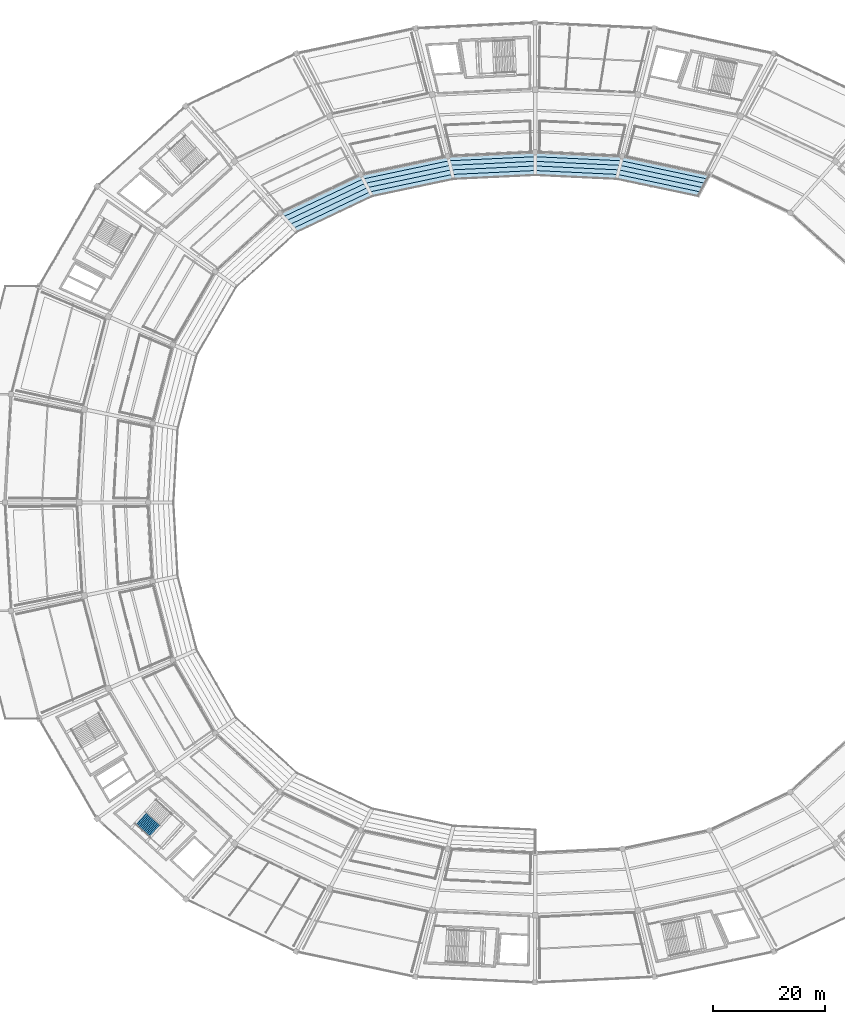
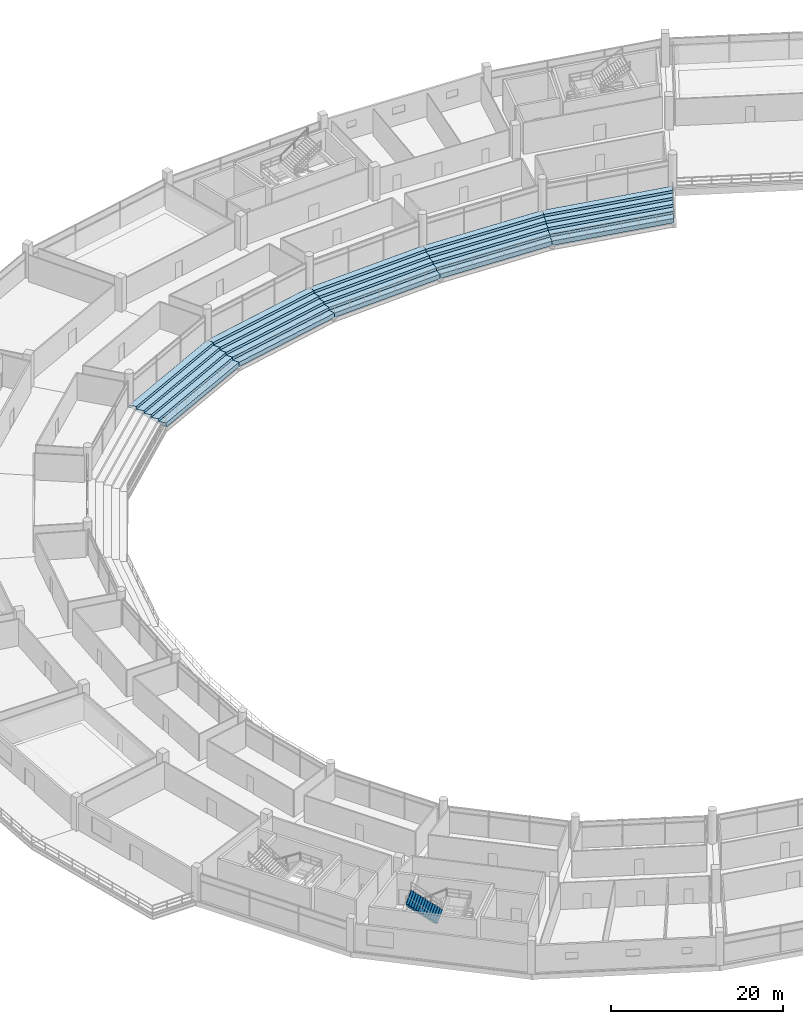
# One storey, part 140 of 171: 5 slabs, 1 stair flight, 1 element without a shape of its own.
"""IFC4 building model written with IfcOpenShell, lengths in metres."""

from ifc_helpers import new_model, si_unit, direction, frame, origin, place, context, subcontext, project, spatial, polygons, material, layer, layer_set, type_object, element, aggregate, save


model = new_model("IFC4")

# Units and contexts
model_context = context("Model", 3, precision=1e-05, world=origin(), true_north=direction((0.0, 1.0)))
body_context = subcontext(model_context, "Body", "Model", "MODEL_VIEW")
ifc_project = project(units=[si_unit("LENGTHUNIT", "METRE"), si_unit("AREAUNIT", "SQUARE_METRE"), si_unit("VOLUMEUNIT", "CUBIC_METRE"), si_unit("PLANEANGLEUNIT", "RADIAN"), si_unit("MASSUNIT", "GRAM", prefix="KILO")], contexts=[model_context])

# Site, building, storey
site_placement = place(None, origin())
site = spatial("IfcSite", under=ifc_project, at=site_placement, CompositionType="ELEMENT")
building_placement = place(site_placement, origin())
building = spatial("IfcBuilding", under=site, at=building_placement, Name="Kazemori Nagisa Stadium", CompositionType="ELEMENT")
storey_placement = place(building_placement, frame((0.0, 0.0, 15.639892578125)))
storey = spatial("IfcBuildingStorey", under=building, at=storey_placement, Name="L03", CompositionType="ELEMENT", Elevation=15.639892578125)

# Slabs
ifc_material = material(Name="Concrete C36/45 (Fc36)", Category="concrete")
ifc_layer = layer(ifc_material, 2.159912109375, Name="Concrete C36/45 (Fc36)", Category="concrete")
ifc_layer_set = layer_set([ifc_layer], Name="Concrete C36/45 (Fc36)")
slab_type = type_object("IfcSlabType", Name="SeatingTier_ST-CLUB-05", PredefinedType="USERDEFINED", material=ifc_layer_set)
slab_1_placement = place(storey_placement, frame((0.0, 0.0, -15.639892578125)))
element("IfcSlab", 1, at=slab_1_placement, inside=storey, type_object=slab_type, Name="Stand club tier bay 06", ObjectType="SEATING TIER", PredefinedType="USERDEFINED", context=body_context, shape_type="Tessellation", body=[
    polygons([(137.61376953125, 159.9609375, 13.480224609375), (137.61376953125, 159.9609375, 14.1201171875), (137.8193359375, 160.77685546875, 14.1201171875), (137.8193359375, 160.77685546875, 14.5), (138.025146484375, 161.5927734375, 14.5), (138.025146484375, 161.5927734375, 14.8798828125), (138.230712890625, 162.408447265625, 14.8798828125), (138.230712890625, 162.408447265625, 15.259765625), (138.4365234375, 163.224365234375, 15.259765625), (138.4365234375, 163.224365234375, 15.6396484375), (138.64208984375, 164.040283203125, 15.6396484375), (138.64208984375, 164.040283203125, 15.379638671875), (138.4365234375, 163.224365234375, 14.999755859375), (138.230712890625, 162.408447265625, 14.619873046875), (138.025146484375, 161.5927734375, 14.239990234375), (137.8193359375, 160.77685546875, 13.860107421875), (152.19287109375, 156.876708984375, 13.480224609375), (152.19287109375, 156.876708984375, 14.1201171875), (152.603759765625, 157.649169921875, 14.1201171875), (152.603759765625, 157.649169921875, 14.5), (153.0146484375, 158.421630859375, 14.5), (153.0146484375, 158.421630859375, 14.8798828125), (153.42578125, 159.194091796875, 14.8798828125), (153.42578125, 159.194091796875, 15.259765625), (153.836669921875, 159.966552734375, 15.259765625), (153.836669921875, 159.966552734375, 15.6396484375), (154.24755859375, 160.739013671875, 15.6396484375), (154.24755859375, 160.739013671875, 15.379638671875), (153.836669921875, 159.966552734375, 14.999755859375), (153.42578125, 159.194091796875, 14.619873046875), (153.0146484375, 158.421630859375, 14.239990234375), (152.603759765625, 157.649169921875, 13.860107421875)], [[[1, 17, 18]], [[1, 18, 2]], [[2, 18, 19]], [[2, 19, 3]], [[3, 19, 20]], [[3, 20, 4]], [[4, 20, 21]], [[4, 21, 5]], [[5, 21, 22]], [[5, 22, 6]], [[6, 22, 23]], [[6, 23, 7]], [[7, 23, 24]], [[7, 24, 8]], [[8, 24, 25]], [[8, 25, 9]], [[9, 25, 26]], [[9, 26, 10]], [[10, 26, 27]], [[10, 27, 11]], [[11, 27, 28]], [[11, 28, 12]], [[12, 28, 13]], [[13, 28, 29]], [[13, 29, 14]], [[14, 29, 30]], [[14, 30, 15]], [[15, 30, 31]], [[15, 31, 16]], [[16, 31, 32]], [[16, 32, 1]], [[1, 32, 17]], [[1, 2, 3]], [[19, 18, 17]], [[1, 3, 16]], [[32, 19, 17]], [[16, 3, 15]], [[31, 19, 32]], [[15, 3, 5]], [[21, 19, 31]], [[3, 4, 5]], [[21, 20, 19]], [[15, 5, 14]], [[30, 21, 31]], [[14, 5, 7]], [[23, 21, 30]], [[5, 6, 7]], [[23, 22, 21]], [[14, 7, 13]], [[29, 23, 30]], [[13, 7, 9]], [[25, 23, 29]], [[7, 8, 9]], [[25, 24, 23]], [[13, 9, 12]], [[28, 25, 29]], [[12, 9, 11]], [[27, 25, 28]], [[9, 10, 11]], [[27, 26, 25]]], closed=True),
])
slab_2_placement = place(storey_placement, frame((0.0, 0.0, -15.639892578125)))
element("IfcSlab", 2, at=slab_2_placement, inside=storey, type_object=slab_type, Name="Stand club tier bay 07", ObjectType="SEATING TIER", PredefinedType="USERDEFINED", context=body_context, shape_type="Tessellation", body=[
    polygons([(123.0, 160.652099609375, 13.480224609375), (123.0, 160.652099609375, 14.1201171875), (123.0, 161.477783203125, 14.1201171875), (123.0, 161.477783203125, 14.5), (123.0, 162.30322265625, 14.5), (123.0, 162.30322265625, 14.8798828125), (123.0, 163.12890625, 14.8798828125), (123.0, 163.12890625, 15.259765625), (123.0, 163.954345703125, 15.259765625), (123.0, 163.954345703125, 15.6396484375), (123.0, 164.780029296875, 15.6396484375), (123.0, 164.780029296875, 15.379638671875), (123.0, 163.954345703125, 14.999755859375), (123.0, 163.12890625, 14.619873046875), (123.0, 162.30322265625, 14.239990234375), (123.0, 161.477783203125, 13.860107421875), (137.61376953125, 159.9609375, 13.480224609375), (137.61376953125, 159.9609375, 14.1201171875), (137.8193359375, 160.77685546875, 14.1201171875), (137.8193359375, 160.77685546875, 14.5), (138.025146484375, 161.5927734375, 14.5), (138.025146484375, 161.5927734375, 14.8798828125), (138.230712890625, 162.408447265625, 14.8798828125), (138.230712890625, 162.408447265625, 15.259765625), (138.4365234375, 163.224365234375, 15.259765625), (138.4365234375, 163.224365234375, 15.6396484375), (138.64208984375, 164.040283203125, 15.6396484375), (138.64208984375, 164.040283203125, 15.379638671875), (138.4365234375, 163.224365234375, 14.999755859375), (138.230712890625, 162.408447265625, 14.619873046875), (138.025146484375, 161.5927734375, 14.239990234375), (137.8193359375, 160.77685546875, 13.860107421875)], [[[1, 17, 18]], [[1, 18, 2]], [[2, 18, 19]], [[2, 19, 3]], [[3, 19, 20]], [[3, 20, 4]], [[4, 20, 21]], [[4, 21, 5]], [[5, 21, 22]], [[5, 22, 6]], [[6, 22, 23]], [[6, 23, 7]], [[7, 23, 24]], [[7, 24, 8]], [[8, 24, 25]], [[8, 25, 9]], [[9, 25, 26]], [[9, 26, 10]], [[10, 26, 27]], [[10, 27, 11]], [[11, 27, 28]], [[11, 28, 12]], [[12, 28, 13]], [[13, 28, 29]], [[13, 29, 14]], [[14, 29, 30]], [[14, 30, 15]], [[15, 30, 31]], [[15, 31, 16]], [[16, 31, 32]], [[16, 32, 1]], [[1, 32, 17]], [[1, 2, 3]], [[19, 18, 17]], [[1, 3, 16]], [[32, 19, 17]], [[16, 3, 15]], [[31, 19, 32]], [[15, 3, 5]], [[21, 19, 31]], [[3, 4, 5]], [[21, 20, 19]], [[15, 5, 14]], [[30, 21, 31]], [[14, 5, 7]], [[23, 21, 30]], [[5, 6, 7]], [[23, 22, 21]], [[14, 7, 13]], [[29, 23, 30]], [[13, 7, 9]], [[25, 23, 29]], [[7, 8, 9]], [[25, 24, 23]], [[13, 9, 12]], [[28, 25, 29]], [[12, 9, 11]], [[27, 25, 28]], [[9, 10, 11]], [[27, 26, 25]]], closed=True),
])
slab_3_placement = place(storey_placement, frame((0.0, 0.0, -15.639892578125)))
element("IfcSlab", 3, at=slab_3_placement, inside=storey, type_object=slab_type, Name="Stand club tier bay 08", ObjectType="SEATING TIER", PredefinedType="USERDEFINED", context=body_context, shape_type="Tessellation", body=[
    polygons([(108.38623046875, 159.9609375, 13.480224609375), (108.38623046875, 159.9609375, 14.1201171875), (108.1806640625, 160.77685546875, 14.1201171875), (108.1806640625, 160.77685546875, 14.5), (107.974853515625, 161.5927734375, 14.5), (107.974853515625, 161.5927734375, 14.8798828125), (107.769287109375, 162.408447265625, 14.8798828125), (107.769287109375, 162.408447265625, 15.259765625), (107.5634765625, 163.224365234375, 15.259765625), (107.5634765625, 163.224365234375, 15.6396484375), (107.35791015625, 164.040283203125, 15.6396484375), (107.35791015625, 164.040283203125, 15.379638671875), (107.5634765625, 163.224365234375, 14.999755859375), (107.769287109375, 162.408447265625, 14.619873046875), (107.974853515625, 161.5927734375, 14.239990234375), (108.1806640625, 160.77685546875, 13.860107421875), (123.0, 160.652099609375, 13.480224609375), (123.0, 160.652099609375, 14.1201171875), (123.0, 161.477783203125, 14.1201171875), (123.0, 161.477783203125, 14.5), (123.0, 162.30322265625, 14.5), (123.0, 162.30322265625, 14.8798828125), (123.0, 163.12890625, 14.8798828125), (123.0, 163.12890625, 15.259765625), (123.0, 163.954345703125, 15.259765625), (123.0, 163.954345703125, 15.6396484375), (123.0, 164.780029296875, 15.6396484375), (123.0, 164.780029296875, 15.379638671875), (123.0, 163.954345703125, 14.999755859375), (123.0, 163.12890625, 14.619873046875), (123.0, 162.30322265625, 14.239990234375), (123.0, 161.477783203125, 13.860107421875)], [[[1, 17, 18]], [[1, 18, 2]], [[2, 18, 19]], [[2, 19, 3]], [[3, 19, 20]], [[3, 20, 4]], [[4, 20, 21]], [[4, 21, 5]], [[5, 21, 22]], [[5, 22, 6]], [[6, 22, 23]], [[6, 23, 7]], [[7, 23, 24]], [[7, 24, 8]], [[8, 24, 25]], [[8, 25, 9]], [[9, 25, 26]], [[9, 26, 10]], [[10, 26, 27]], [[10, 27, 11]], [[11, 27, 28]], [[11, 28, 12]], [[12, 28, 13]], [[13, 28, 29]], [[13, 29, 14]], [[14, 29, 30]], [[14, 30, 15]], [[15, 30, 31]], [[15, 31, 16]], [[16, 31, 32]], [[16, 32, 1]], [[1, 32, 17]], [[1, 2, 3]], [[19, 18, 17]], [[1, 3, 16]], [[32, 19, 17]], [[16, 3, 15]], [[31, 19, 32]], [[15, 3, 5]], [[21, 19, 31]], [[3, 4, 5]], [[21, 20, 19]], [[15, 5, 14]], [[30, 21, 31]], [[14, 5, 7]], [[23, 21, 30]], [[5, 6, 7]], [[23, 22, 21]], [[14, 7, 13]], [[29, 23, 30]], [[13, 7, 9]], [[25, 23, 29]], [[7, 8, 9]], [[25, 24, 23]], [[13, 9, 12]], [[28, 25, 29]], [[12, 9, 11]], [[27, 25, 28]], [[9, 10, 11]], [[27, 26, 25]]], closed=True),
])
slab_4_placement = place(storey_placement, frame((0.0, 0.0, -15.639892578125)))
element("IfcSlab", 4, at=slab_4_placement, inside=storey, type_object=slab_type, Name="Stand club tier bay 09", ObjectType="SEATING TIER", PredefinedType="USERDEFINED", context=body_context, shape_type="Tessellation", body=[
    polygons([(93.80712890625, 156.876708984375, 13.480224609375), (93.80712890625, 156.876708984375, 14.1201171875), (93.396240234375, 157.649169921875, 14.1201171875), (93.396240234375, 157.649169921875, 14.5), (92.9853515625, 158.421630859375, 14.5), (92.9853515625, 158.421630859375, 14.8798828125), (92.57421875, 159.194091796875, 14.8798828125), (92.57421875, 159.194091796875, 15.259765625), (92.163330078125, 159.966552734375, 15.259765625), (92.163330078125, 159.966552734375, 15.6396484375), (91.75244140625, 160.739013671875, 15.6396484375), (91.75244140625, 160.739013671875, 15.379638671875), (92.163330078125, 159.966552734375, 14.999755859375), (92.57421875, 159.194091796875, 14.619873046875), (92.9853515625, 158.421630859375, 14.239990234375), (93.396240234375, 157.649169921875, 13.860107421875), (108.38623046875, 159.9609375, 13.480224609375), (108.38623046875, 159.9609375, 14.1201171875), (108.1806640625, 160.77685546875, 14.1201171875), (108.1806640625, 160.77685546875, 14.5), (107.974853515625, 161.5927734375, 14.5), (107.974853515625, 161.5927734375, 14.8798828125), (107.769287109375, 162.408447265625, 14.8798828125), (107.769287109375, 162.408447265625, 15.259765625), (107.5634765625, 163.224365234375, 15.259765625), (107.5634765625, 163.224365234375, 15.6396484375), (107.35791015625, 164.040283203125, 15.6396484375), (107.35791015625, 164.040283203125, 15.379638671875), (107.5634765625, 163.224365234375, 14.999755859375), (107.769287109375, 162.408447265625, 14.619873046875), (107.974853515625, 161.5927734375, 14.239990234375), (108.1806640625, 160.77685546875, 13.860107421875)], [[[1, 17, 18]], [[1, 18, 2]], [[2, 18, 19]], [[2, 19, 3]], [[3, 19, 20]], [[3, 20, 4]], [[4, 20, 21]], [[4, 21, 5]], [[5, 21, 22]], [[5, 22, 6]], [[6, 22, 23]], [[6, 23, 7]], [[7, 23, 24]], [[7, 24, 8]], [[8, 24, 25]], [[8, 25, 9]], [[9, 25, 26]], [[9, 26, 10]], [[10, 26, 27]], [[10, 27, 11]], [[11, 27, 28]], [[11, 28, 12]], [[12, 28, 13]], [[13, 28, 29]], [[13, 29, 14]], [[14, 29, 30]], [[14, 30, 15]], [[15, 30, 31]], [[15, 31, 16]], [[16, 31, 32]], [[16, 32, 1]], [[1, 32, 17]], [[1, 2, 3]], [[19, 18, 17]], [[1, 3, 16]], [[32, 19, 17]], [[16, 3, 15]], [[31, 19, 32]], [[15, 3, 5]], [[21, 19, 31]], [[3, 4, 5]], [[21, 20, 19]], [[15, 5, 14]], [[30, 21, 31]], [[14, 5, 7]], [[23, 21, 30]], [[5, 6, 7]], [[23, 22, 21]], [[14, 7, 13]], [[29, 23, 30]], [[13, 7, 9]], [[25, 23, 29]], [[7, 8, 9]], [[25, 24, 23]], [[13, 9, 12]], [[28, 25, 29]], [[12, 9, 11]], [[27, 25, 28]], [[9, 10, 11]], [[27, 26, 25]]], closed=True),
])
slab_5_placement = place(storey_placement, frame((0.0, 0.0, -15.639892578125)))
element("IfcSlab", 5, at=slab_5_placement, inside=storey, type_object=slab_type, Name="Stand club tier bay 10", ObjectType="SEATING TIER", PredefinedType="USERDEFINED", context=body_context, shape_type="Tessellation", body=[
    polygons([(80.30810546875, 150.462158203125, 13.480224609375), (80.30810546875, 150.462158203125, 14.1201171875), (79.707275390625, 151.144287109375, 14.1201171875), (79.707275390625, 151.144287109375, 14.5), (79.106201171875, 151.826416015625, 14.5), (79.106201171875, 151.826416015625, 14.8798828125), (78.50537109375, 152.5087890625, 14.8798828125), (78.50537109375, 152.5087890625, 15.259765625), (77.904296875, 153.19091796875, 15.259765625), (77.904296875, 153.19091796875, 15.6396484375), (77.303466796875, 153.873046875, 15.6396484375), (77.303466796875, 153.873046875, 15.379638671875), (77.904296875, 153.19091796875, 14.999755859375), (78.50537109375, 152.5087890625, 14.619873046875), (79.106201171875, 151.826416015625, 14.239990234375), (79.707275390625, 151.144287109375, 13.860107421875), (93.80712890625, 156.876708984375, 13.480224609375), (93.80712890625, 156.876708984375, 14.1201171875), (93.396240234375, 157.649169921875, 14.1201171875), (93.396240234375, 157.649169921875, 14.5), (92.9853515625, 158.421630859375, 14.5), (92.9853515625, 158.421630859375, 14.8798828125), (92.57421875, 159.194091796875, 14.8798828125), (92.57421875, 159.194091796875, 15.259765625), (92.163330078125, 159.966552734375, 15.259765625), (92.163330078125, 159.966552734375, 15.6396484375), (91.75244140625, 160.739013671875, 15.6396484375), (91.75244140625, 160.739013671875, 15.379638671875), (92.163330078125, 159.966552734375, 14.999755859375), (92.57421875, 159.194091796875, 14.619873046875), (92.9853515625, 158.421630859375, 14.239990234375), (93.396240234375, 157.649169921875, 13.860107421875)], [[[1, 17, 18]], [[1, 18, 2]], [[2, 18, 19]], [[2, 19, 3]], [[3, 19, 20]], [[3, 20, 4]], [[4, 20, 21]], [[4, 21, 5]], [[5, 21, 22]], [[5, 22, 6]], [[6, 22, 23]], [[6, 23, 7]], [[7, 23, 24]], [[7, 24, 8]], [[8, 24, 25]], [[8, 25, 9]], [[9, 25, 26]], [[9, 26, 10]], [[10, 26, 27]], [[10, 27, 11]], [[11, 27, 28]], [[11, 28, 12]], [[12, 28, 13]], [[13, 28, 29]], [[13, 29, 14]], [[14, 29, 30]], [[14, 30, 15]], [[15, 30, 31]], [[15, 31, 16]], [[16, 31, 32]], [[16, 32, 1]], [[1, 32, 17]], [[1, 2, 3]], [[19, 18, 17]], [[1, 3, 16]], [[32, 19, 17]], [[16, 3, 15]], [[31, 19, 32]], [[15, 3, 5]], [[21, 19, 31]], [[3, 4, 5]], [[21, 20, 19]], [[15, 5, 14]], [[30, 21, 31]], [[14, 5, 7]], [[23, 21, 30]], [[5, 6, 7]], [[23, 22, 21]], [[14, 7, 13]], [[29, 23, 30]], [[13, 7, 9]], [[25, 23, 29]], [[7, 8, 9]], [[25, 24, 23]], [[13, 9, 12]], [[28, 25, 29]], [[12, 9, 11]], [[27, 25, 28]], [[9, 10, 11]], [[27, 26, 25]]], closed=True),
])

# Stair, stair flight
stair_type = type_object("IfcStairType", Name="Stair_CORE_28", PredefinedType="TWO_STRAIGHT_RUN_STAIR", material=ifc_material)
stair_placement = place(storey_placement, origin())
stair = element("IfcStair", 6, at=stair_placement, inside=storey, type_object=stair_type, Name="Exit stair ST03 L03", PredefinedType="TWO_STRAIGHT_RUN_STAIR")
stair_flight_type = type_object("IfcStairFlightType", Name="Flight_CORE_14", PredefinedType="STRAIGHT", material=ifc_material)
stair_flight_placement = place(storey_placement, frame((55.038330078125, 42.976318359375, 2.380126953125), z_axis=(0.0, 0.0, 1.0), x_axis=(-0.741324991793, 0.671146225903, 0.0)))
stair_flight = element("IfcStairFlight", 7, at=stair_flight_placement, type_object=stair_flight_type, Name="Exit stair ST03 L03 flight 2", NumberOfRisers=14, NumberOfTreads=13, PredefinedType="STRAIGHT", RiserHeight=0.17, TreadLength=0.285, context=body_context, shape_type="Tessellation", body=[
    polygons([(0.0, -1.425048828125, 0.0), (0.0, -1.425048828125, 0.169921875), (0.284912109375, -1.425048828125, 0.169921875), (0.284912109375, -1.425048828125, 0.340087890625), (0.570068359375, -1.425048828125, 0.340087890625), (0.570068359375, -1.425048828125, 0.510009765625), (0.85498046875, -1.425048828125, 0.510009765625), (0.85498046875, -1.425048828125, 0.679931640625), (1.139892578125, -1.425048828125, 0.679931640625), (1.139892578125, -1.425048828125, 0.85009765625), (1.425048828125, -1.425048828125, 0.85009765625), (1.425048828125, -1.425048828125, 1.02001953125), (1.7099609375, -1.425048828125, 1.02001953125), (1.7099609375, -1.425048828125, 1.18994140625), (1.9951171875, -1.425048828125, 1.18994140625), (1.9951171875, -1.425048828125, 1.360107421875), (2.280029296875, -1.425048828125, 1.360107421875), (2.280029296875, -1.425048828125, 1.530029296875), (2.56494140625, -1.425048828125, 1.530029296875), (2.56494140625, -1.425048828125, 1.699951171875), (2.85009765625, -1.425048828125, 1.699951171875), (2.85009765625, -1.425048828125, 1.8701171875), (3.135009765625, -1.425048828125, 1.8701171875), (3.135009765625, -1.425048828125, 2.0400390625), (3.419921875, -1.425048828125, 2.0400390625), (3.419921875, -1.425048828125, 2.2099609375), (3.705078125, -1.425048828125, 2.2099609375), (3.705078125, -1.425048828125, 2.3798828125), (3.7548828125, -1.425048828125, 2.3798828125), (3.7548828125, -1.425048828125, 2.007080078125), (3.705078125, -1.425048828125, 1.977294921875), (3.419921875, -1.425048828125, 1.80712890625), (3.135009765625, -1.425048828125, 1.63720703125), (2.85009765625, -1.425048828125, 1.46728515625), (2.56494140625, -1.425048828125, 1.297119140625), (2.280029296875, -1.425048828125, 1.127197265625), (1.9951171875, -1.425048828125, 0.957275390625), (1.7099609375, -1.425048828125, 0.787109375), (1.425048828125, -1.425048828125, 0.6171875), (1.139892578125, -1.425048828125, 0.447265625), (0.85498046875, -1.425048828125, 0.277099609375), (0.570068359375, -1.425048828125, 0.107177734375), (0.284912109375, -1.425048828125, 0.0), (0.0, -0.08544921875, 0.0), (0.0, -0.08544921875, 0.169921875), (0.284912109375, -0.08544921875, 0.169921875), (0.284912109375, -0.08544921875, 0.340087890625), (0.570068359375, -0.08544921875, 0.340087890625), (0.570068359375, -0.08544921875, 0.510009765625), (0.85498046875, -0.08544921875, 0.510009765625), (0.85498046875, -0.08544921875, 0.679931640625), (1.139892578125, -0.08544921875, 0.679931640625), (1.139892578125, -0.08544921875, 0.85009765625), (1.425048828125, -0.08544921875, 0.85009765625), (1.425048828125, -0.08544921875, 1.02001953125), (1.7099609375, -0.08544921875, 1.02001953125), (1.7099609375, -0.08544921875, 1.18994140625), (1.9951171875, -0.08544921875, 1.18994140625), (1.9951171875, -0.08544921875, 1.360107421875), (2.280029296875, -0.08544921875, 1.360107421875), (2.280029296875, -0.08544921875, 1.530029296875), (2.56494140625, -0.08544921875, 1.530029296875), (2.56494140625, -0.08544921875, 1.699951171875), (2.85009765625, -0.08544921875, 1.699951171875), (2.85009765625, -0.08544921875, 1.8701171875), (3.135009765625, -0.08544921875, 1.8701171875), (3.135009765625, -0.08544921875, 2.0400390625), (3.419921875, -0.08544921875, 2.0400390625), (3.419921875, -0.08544921875, 2.2099609375), (3.705078125, -0.08544921875, 2.2099609375), (3.705078125, -0.08544921875, 2.3798828125), (3.7548828125, -0.08544921875, 2.3798828125), (3.7548828125, -0.08544921875, 2.007080078125), (3.705078125, -0.08544921875, 1.977294921875), (3.419921875, -0.08544921875, 1.80712890625), (3.135009765625, -0.08544921875, 1.63720703125), (2.85009765625, -0.08544921875, 1.46728515625), (2.56494140625, -0.08544921875, 1.297119140625), (2.280029296875, -0.08544921875, 1.127197265625), (1.9951171875, -0.08544921875, 0.957275390625), (1.7099609375, -0.08544921875, 0.787109375), (1.425048828125, -0.08544921875, 0.6171875), (1.139892578125, -0.08544921875, 0.447265625), (0.85498046875, -0.08544921875, 0.277099609375), (0.570068359375, -0.08544921875, 0.107177734375), (0.284912109375, -0.08544921875, 0.0), (0.0, 0.0, 0.0), (0.0, 0.0, 0.169921875), (0.284912109375, 0.0, 0.169921875), (0.284912109375, 0.0, 0.340087890625), (0.570068359375, 0.0, 0.340087890625), (0.570068359375, 0.0, 0.510009765625), (0.85498046875, 0.0, 0.510009765625), (0.85498046875, 0.0, 0.679931640625), (1.139892578125, 0.0, 0.679931640625), (1.139892578125, 0.0, 0.85009765625), (1.425048828125, 0.0, 0.85009765625), (1.425048828125, 0.0, 1.02001953125), (1.7099609375, 0.0, 1.02001953125), (1.7099609375, 0.0, 1.18994140625), (1.9951171875, 0.0, 1.18994140625), (1.9951171875, 0.0, 1.360107421875), (2.280029296875, 0.0, 1.360107421875), (2.280029296875, 0.0, 1.530029296875), (2.56494140625, 0.0, 1.530029296875), (2.56494140625, 0.0, 1.699951171875), (2.85009765625, 0.0, 1.699951171875), (2.85009765625, 0.0, 1.8701171875), (3.135009765625, 0.0, 1.8701171875), (3.135009765625, 0.0, 2.0400390625), (3.419921875, 0.0, 2.0400390625), (3.419921875, 0.0, 2.2099609375), (3.705078125, 0.0, 2.2099609375), (3.705078125, 0.0, 2.3798828125), (3.7548828125, 0.0, 2.3798828125), (3.7548828125, 0.0, 2.007080078125), (3.705078125, 0.0, 1.977294921875), (3.419921875, 0.0, 1.80712890625), (3.135009765625, 0.0, 1.63720703125), (2.85009765625, 0.0, 1.46728515625), (2.56494140625, 0.0, 1.297119140625), (2.280029296875, 0.0, 1.127197265625), (1.9951171875, 0.0, 0.957275390625), (1.7099609375, 0.0, 0.787109375), (1.425048828125, 0.0, 0.6171875), (1.139892578125, 0.0, 0.447265625), (0.85498046875, 0.0, 0.277099609375), (0.570068359375, 0.0, 0.107177734375), (0.284912109375, 0.0, 0.0), (0.0, 0.08544921875, 0.0), (0.0, 0.08544921875, 0.169921875), (0.284912109375, 0.08544921875, 0.169921875), (0.284912109375, 0.08544921875, 0.340087890625), (0.570068359375, 0.08544921875, 0.340087890625), (0.570068359375, 0.08544921875, 0.510009765625), (0.85498046875, 0.08544921875, 0.510009765625), (0.85498046875, 0.08544921875, 0.679931640625), (1.139892578125, 0.08544921875, 0.679931640625), (1.139892578125, 0.08544921875, 0.85009765625), (1.425048828125, 0.08544921875, 0.85009765625), (1.425048828125, 0.08544921875, 1.02001953125), (1.7099609375, 0.08544921875, 1.02001953125), (1.7099609375, 0.08544921875, 1.18994140625), (1.9951171875, 0.08544921875, 1.18994140625), (1.9951171875, 0.08544921875, 1.360107421875), (2.280029296875, 0.08544921875, 1.360107421875), (2.280029296875, 0.08544921875, 1.530029296875), (2.56494140625, 0.08544921875, 1.530029296875), (2.56494140625, 0.08544921875, 1.699951171875), (2.85009765625, 0.08544921875, 1.699951171875), (2.85009765625, 0.08544921875, 1.8701171875), (3.135009765625, 0.08544921875, 1.8701171875), (3.135009765625, 0.08544921875, 2.0400390625), (3.419921875, 0.08544921875, 2.0400390625), (3.419921875, 0.08544921875, 2.2099609375), (3.705078125, 0.08544921875, 2.2099609375), (3.705078125, 0.08544921875, 2.3798828125), (3.7548828125, 0.08544921875, 2.3798828125), (3.7548828125, 0.08544921875, 2.007080078125), (3.705078125, 0.08544921875, 1.977294921875), (3.419921875, 0.08544921875, 1.80712890625), (3.135009765625, 0.08544921875, 1.63720703125), (2.85009765625, 0.08544921875, 1.46728515625), (2.56494140625, 0.08544921875, 1.297119140625), (2.280029296875, 0.08544921875, 1.127197265625), (1.9951171875, 0.08544921875, 0.957275390625), (1.7099609375, 0.08544921875, 0.787109375), (1.425048828125, 0.08544921875, 0.6171875), (1.139892578125, 0.08544921875, 0.447265625), (0.85498046875, 0.08544921875, 0.277099609375), (0.570068359375, 0.08544921875, 0.107177734375), (0.284912109375, 0.08544921875, 0.0), (0.0, 1.425048828125, 0.0), (0.0, 1.425048828125, 0.169921875), (0.284912109375, 1.425048828125, 0.169921875), (0.284912109375, 1.425048828125, 0.340087890625), (0.570068359375, 1.425048828125, 0.340087890625), (0.570068359375, 1.425048828125, 0.510009765625), (0.85498046875, 1.425048828125, 0.510009765625), (0.85498046875, 1.425048828125, 0.679931640625), (1.139892578125, 1.425048828125, 0.679931640625), (1.139892578125, 1.425048828125, 0.85009765625), (1.425048828125, 1.425048828125, 0.85009765625), (1.425048828125, 1.425048828125, 1.02001953125), (1.7099609375, 1.425048828125, 1.02001953125), (1.7099609375, 1.425048828125, 1.18994140625), (1.9951171875, 1.425048828125, 1.18994140625), (1.9951171875, 1.425048828125, 1.360107421875), (2.280029296875, 1.425048828125, 1.360107421875), (2.280029296875, 1.425048828125, 1.530029296875), (2.56494140625, 1.425048828125, 1.530029296875), (2.56494140625, 1.425048828125, 1.699951171875), (2.85009765625, 1.425048828125, 1.699951171875), (2.85009765625, 1.425048828125, 1.8701171875), (3.135009765625, 1.425048828125, 1.8701171875), (3.135009765625, 1.425048828125, 2.0400390625), (3.419921875, 1.425048828125, 2.0400390625), (3.419921875, 1.425048828125, 2.2099609375), (3.705078125, 1.425048828125, 2.2099609375), (3.705078125, 1.425048828125, 2.3798828125), (3.7548828125, 1.425048828125, 2.3798828125), (3.7548828125, 1.425048828125, 2.007080078125), (3.705078125, 1.425048828125, 1.977294921875), (3.419921875, 1.425048828125, 1.80712890625), (3.135009765625, 1.425048828125, 1.63720703125), (2.85009765625, 1.425048828125, 1.46728515625), (2.56494140625, 1.425048828125, 1.297119140625), (2.280029296875, 1.425048828125, 1.127197265625), (1.9951171875, 1.425048828125, 0.957275390625), (1.7099609375, 1.425048828125, 0.787109375), (1.425048828125, 1.425048828125, 0.6171875), (1.139892578125, 1.425048828125, 0.447265625), (0.85498046875, 1.425048828125, 0.277099609375), (0.570068359375, 1.425048828125, 0.107177734375), (0.284912109375, 1.425048828125, 0.0)], [[[1, 2, 45]], [[1, 45, 44]], [[2, 3, 46]], [[2, 46, 45]], [[3, 4, 47]], [[3, 47, 46]], [[4, 5, 48]], [[4, 48, 47]], [[5, 6, 49]], [[5, 49, 48]], [[6, 7, 50]], [[6, 50, 49]], [[7, 8, 51]], [[7, 51, 50]], [[8, 9, 52]], [[8, 52, 51]], [[9, 10, 53]], [[9, 53, 52]], [[10, 11, 54]], [[10, 54, 53]], [[11, 12, 55]], [[11, 55, 54]], [[12, 13, 56]], [[12, 56, 55]], [[13, 14, 57]], [[13, 57, 56]], [[14, 15, 58]], [[14, 58, 57]], [[15, 16, 59]], [[15, 59, 58]], [[16, 17, 60]], [[16, 60, 59]], [[17, 18, 61]], [[17, 61, 60]], [[18, 19, 62]], [[18, 62, 61]], [[19, 20, 63]], [[19, 63, 62]], [[20, 21, 64]], [[20, 64, 63]], [[21, 22, 65]], [[21, 65, 64]], [[22, 23, 66]], [[22, 66, 65]], [[23, 24, 67]], [[23, 67, 66]], [[24, 25, 68]], [[24, 68, 67]], [[25, 26, 69]], [[25, 69, 68]], [[26, 27, 70]], [[26, 70, 69]], [[27, 28, 71]], [[27, 71, 70]], [[28, 29, 72]], [[28, 72, 71]], [[29, 30, 73]], [[29, 73, 72]], [[30, 31, 74]], [[30, 74, 73]], [[31, 32, 75]], [[31, 75, 74]], [[32, 33, 76]], [[32, 76, 75]], [[33, 34, 77]], [[33, 77, 76]], [[34, 35, 78]], [[34, 78, 77]], [[35, 36, 79]], [[35, 79, 78]], [[36, 37, 80]], [[36, 80, 79]], [[37, 38, 81]], [[37, 81, 80]], [[38, 39, 82]], [[38, 82, 81]], [[39, 40, 83]], [[39, 83, 82]], [[40, 41, 84]], [[40, 84, 83]], [[41, 42, 85]], [[41, 85, 84]], [[42, 43, 86]], [[42, 86, 85]], [[43, 1, 44]], [[43, 44, 86]], [[44, 45, 88]], [[44, 88, 87]], [[45, 46, 89]], [[45, 89, 88]], [[46, 47, 90]], [[46, 90, 89]], [[47, 48, 91]], [[47, 91, 90]], [[48, 49, 92]], [[48, 92, 91]], [[49, 50, 93]], [[49, 93, 92]], [[50, 51, 94]], [[50, 94, 93]], [[51, 52, 95]], [[51, 95, 94]], [[52, 53, 96]], [[52, 96, 95]], [[53, 54, 97]], [[53, 97, 96]], [[54, 55, 98]], [[54, 98, 97]], [[55, 56, 99]], [[55, 99, 98]], [[56, 57, 100]], [[56, 100, 99]], [[57, 58, 101]], [[57, 101, 100]], [[58, 59, 102]], [[58, 102, 101]], [[59, 60, 103]], [[59, 103, 102]], [[60, 61, 104]], [[60, 104, 103]], [[61, 62, 105]], [[61, 105, 104]], [[62, 63, 106]], [[62, 106, 105]], [[63, 64, 107]], [[63, 107, 106]], [[64, 65, 108]], [[64, 108, 107]], [[65, 66, 109]], [[65, 109, 108]], [[66, 67, 110]], [[66, 110, 109]], [[67, 68, 111]], [[67, 111, 110]], [[68, 69, 112]], [[68, 112, 111]], [[69, 70, 113]], [[69, 113, 112]], [[70, 71, 114]], [[70, 114, 113]], [[71, 72, 115]], [[71, 115, 114]], [[72, 73, 116]], [[72, 116, 115]], [[73, 74, 117]], [[73, 117, 116]], [[74, 75, 118]], [[74, 118, 117]], [[75, 76, 119]], [[75, 119, 118]], [[76, 77, 120]], [[76, 120, 119]], [[77, 78, 121]], [[77, 121, 120]], [[78, 79, 122]], [[78, 122, 121]], [[79, 80, 123]], [[79, 123, 122]], [[80, 81, 124]], [[80, 124, 123]], [[81, 82, 125]], [[81, 125, 124]], [[82, 83, 126]], [[82, 126, 125]], [[83, 84, 127]], [[83, 127, 126]], [[84, 85, 128]], [[84, 128, 127]], [[85, 86, 129]], [[85, 129, 128]], [[86, 44, 87]], [[86, 87, 129]], [[87, 88, 131]], [[87, 131, 130]], [[88, 89, 132]], [[88, 132, 131]], [[89, 90, 133]], [[89, 133, 132]], [[90, 91, 134]], [[90, 134, 133]], [[91, 92, 135]], [[91, 135, 134]], [[92, 93, 136]], [[92, 136, 135]], [[93, 94, 137]], [[93, 137, 136]], [[94, 95, 138]], [[94, 138, 137]], [[95, 96, 139]], [[95, 139, 138]], [[96, 97, 140]], [[96, 140, 139]], [[97, 98, 141]], [[97, 141, 140]], [[98, 99, 142]], [[98, 142, 141]], [[99, 100, 143]], [[99, 143, 142]], [[100, 101, 144]], [[100, 144, 143]], [[101, 102, 145]], [[101, 145, 144]], [[102, 103, 146]], [[102, 146, 145]], [[103, 104, 147]], [[103, 147, 146]], [[104, 105, 148]], [[104, 148, 147]], [[105, 106, 149]], [[105, 149, 148]], [[106, 107, 150]], [[106, 150, 149]], [[107, 108, 151]], [[107, 151, 150]], [[108, 109, 152]], [[108, 152, 151]], [[109, 110, 153]], [[109, 153, 152]], [[110, 111, 154]], [[110, 154, 153]], [[111, 112, 155]], [[111, 155, 154]], [[112, 113, 156]], [[112, 156, 155]], [[113, 114, 157]], [[113, 157, 156]], [[114, 115, 158]], [[114, 158, 157]], [[115, 116, 159]], [[115, 159, 158]], [[116, 117, 160]], [[116, 160, 159]], [[117, 118, 161]], [[117, 161, 160]], [[118, 119, 162]], [[118, 162, 161]], [[119, 120, 163]], [[119, 163, 162]], [[120, 121, 164]], [[120, 164, 163]], [[121, 122, 165]], [[121, 165, 164]], [[122, 123, 166]], [[122, 166, 165]], [[123, 124, 167]], [[123, 167, 166]], [[124, 125, 168]], [[124, 168, 167]], [[125, 126, 169]], [[125, 169, 168]], [[126, 127, 170]], [[126, 170, 169]], [[127, 128, 171]], [[127, 171, 170]], [[128, 129, 172]], [[128, 172, 171]], [[129, 87, 130]], [[129, 130, 172]], [[130, 131, 174]], [[130, 174, 173]], [[131, 132, 175]], [[131, 175, 174]], [[132, 133, 176]], [[132, 176, 175]], [[133, 134, 177]], [[133, 177, 176]], [[134, 135, 178]], [[134, 178, 177]], [[135, 136, 179]], [[135, 179, 178]], [[136, 137, 180]], [[136, 180, 179]], [[137, 138, 181]], [[137, 181, 180]], [[138, 139, 182]], [[138, 182, 181]], [[139, 140, 183]], [[139, 183, 182]], [[140, 141, 184]], [[140, 184, 183]], [[141, 142, 185]], [[141, 185, 184]], [[142, 143, 186]], [[142, 186, 185]], [[143, 144, 187]], [[143, 187, 186]], [[144, 145, 188]], [[144, 188, 187]], [[145, 146, 189]], [[145, 189, 188]], [[146, 147, 190]], [[146, 190, 189]], [[147, 148, 191]], [[147, 191, 190]], [[148, 149, 192]], [[148, 192, 191]], [[149, 150, 193]], [[149, 193, 192]], [[150, 151, 194]], [[150, 194, 193]], [[151, 152, 195]], [[151, 195, 194]], [[152, 153, 196]], [[152, 196, 195]], [[153, 154, 197]], [[153, 197, 196]], [[154, 155, 198]], [[154, 198, 197]], [[155, 156, 199]], [[155, 199, 198]], [[156, 157, 200]], [[156, 200, 199]], [[157, 158, 201]], [[157, 201, 200]], [[158, 159, 202]], [[158, 202, 201]], [[159, 160, 203]], [[159, 203, 202]], [[160, 161, 204]], [[160, 204, 203]], [[161, 162, 205]], [[161, 205, 204]], [[162, 163, 206]], [[162, 206, 205]], [[163, 164, 207]], [[163, 207, 206]], [[164, 165, 208]], [[164, 208, 207]], [[165, 166, 209]], [[165, 209, 208]], [[166, 167, 210]], [[166, 210, 209]], [[167, 168, 211]], [[167, 211, 210]], [[168, 169, 212]], [[168, 212, 211]], [[169, 170, 213]], [[169, 213, 212]], [[170, 171, 214]], [[170, 214, 213]], [[171, 172, 215]], [[171, 215, 214]], [[172, 130, 173]], [[172, 173, 215]], [[3, 2, 1]], [[173, 174, 175]], [[43, 3, 1]], [[173, 175, 215]], [[42, 3, 43]], [[215, 175, 214]], [[5, 3, 42]], [[214, 175, 177]], [[5, 4, 3]], [[175, 176, 177]], [[41, 5, 42]], [[214, 177, 213]], [[7, 5, 41]], [[213, 177, 179]], [[7, 6, 5]], [[177, 178, 179]], [[40, 7, 41]], [[213, 179, 212]], [[9, 7, 40]], [[212, 179, 181]], [[9, 8, 7]], [[179, 180, 181]], [[39, 9, 40]], [[212, 181, 211]], [[11, 9, 39]], [[211, 181, 183]], [[11, 10, 9]], [[181, 182, 183]], [[38, 11, 39]], [[211, 183, 210]], [[13, 11, 38]], [[210, 183, 185]], [[13, 12, 11]], [[183, 184, 185]], [[37, 13, 38]], [[210, 185, 209]], [[15, 13, 37]], [[209, 185, 187]], [[15, 14, 13]], [[185, 186, 187]], [[36, 15, 37]], [[209, 187, 208]], [[17, 15, 36]], [[208, 187, 189]], [[17, 16, 15]], [[187, 188, 189]], [[35, 17, 36]], [[208, 189, 207]], [[19, 17, 35]], [[207, 189, 191]], [[19, 18, 17]], [[189, 190, 191]], [[34, 19, 35]], [[207, 191, 206]], [[21, 19, 34]], [[206, 191, 193]], [[21, 20, 19]], [[191, 192, 193]], [[33, 21, 34]], [[206, 193, 205]], [[23, 21, 33]], [[205, 193, 195]], [[23, 22, 21]], [[193, 194, 195]], [[32, 23, 33]], [[205, 195, 204]], [[25, 23, 32]], [[204, 195, 197]], [[25, 24, 23]], [[195, 196, 197]], [[31, 25, 32]], [[204, 197, 203]], [[27, 25, 31]], [[203, 197, 199]], [[27, 26, 25]], [[197, 198, 199]], [[30, 27, 31]], [[203, 199, 202]], [[29, 27, 30]], [[202, 199, 201]], [[29, 28, 27]], [[199, 200, 201]]], closed=True),
])
aggregate(stair, [stair_flight])

save(model, "model.ifc")
